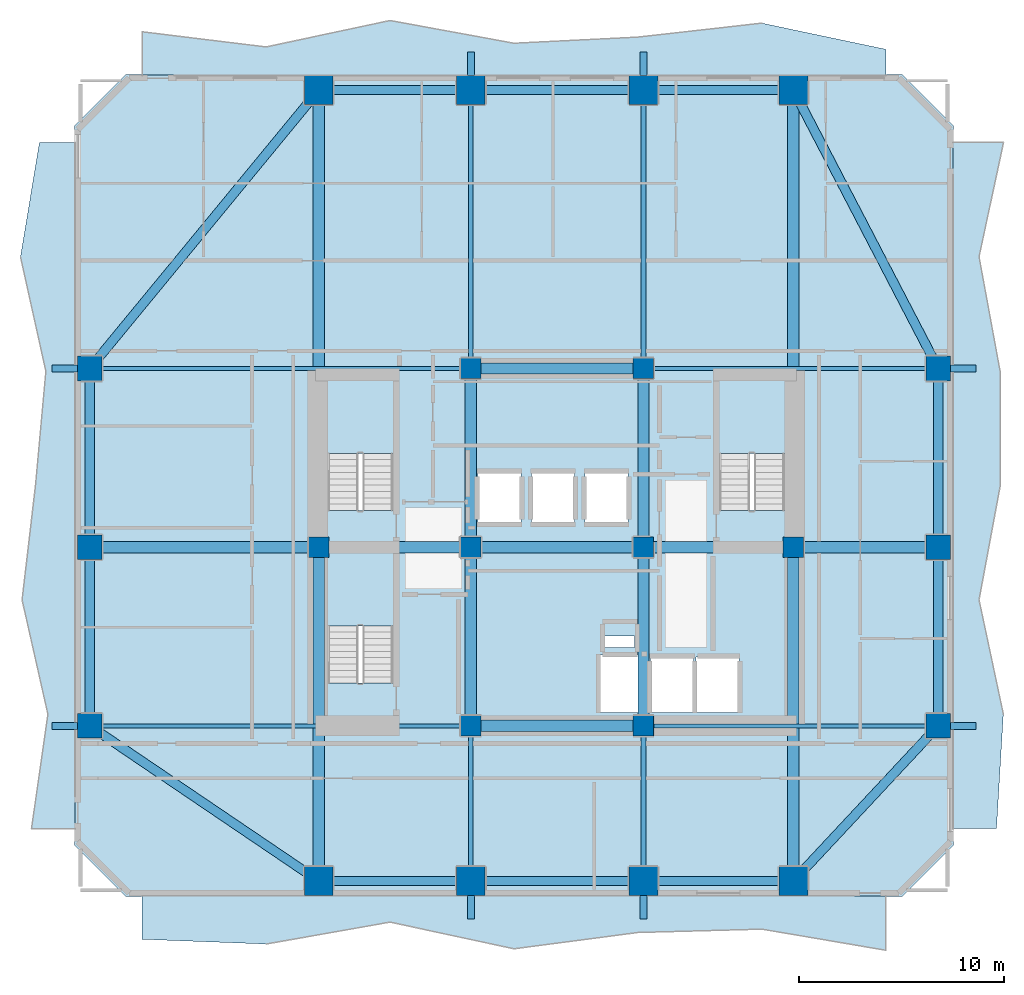
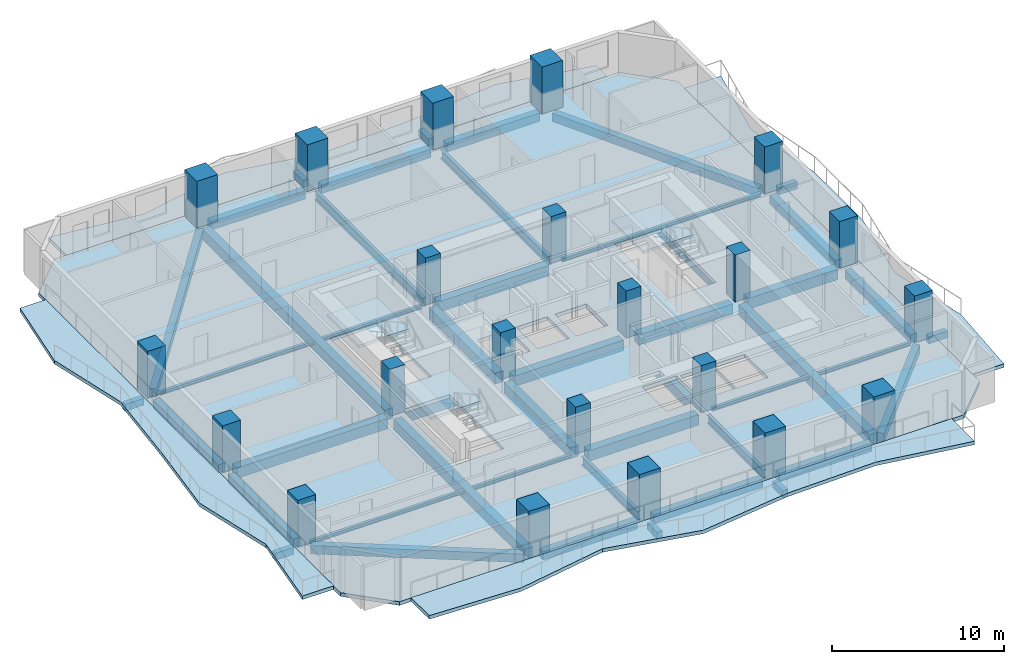
# One storey, part 1 of 10: 45 beams, 22 columns, 8 slabs, 3 elements without a shape of their own.
"""IFC4 building model written with IfcOpenShell, lengths in metres."""

from ifc_helpers import new_model, si_unit, direction, frame, origin, origin_2d, place, context, subcontext, project, spatial, polyline, rectangle, i_section, outline, extrude, material, layer, layer_set, material_profile, profile_set, type_object, element, aggregate, save


model = new_model("IFC4")

# Units and contexts
model_context = context("Model", 3, precision=1e-05, world=origin(), true_north=direction((0.0, 1.0)))
body_context = subcontext(model_context, "Body", "Model", "MODEL_VIEW")
ifc_project = project(units=[si_unit("LENGTHUNIT", "METRE"), si_unit("AREAUNIT", "SQUARE_METRE"), si_unit("VOLUMEUNIT", "CUBIC_METRE"), si_unit("PLANEANGLEUNIT", "RADIAN"), si_unit("MASSUNIT", "GRAM", prefix="KILO")], contexts=[model_context])

# Site, building, storey
site_placement = place(None, origin())
site = spatial("IfcSite", under=ifc_project, at=site_placement, CompositionType="ELEMENT")
building_placement = place(site_placement, origin())
building = spatial("IfcBuilding", under=site, at=building_placement, Name="Solanera Arch Residences", CompositionType="ELEMENT")
storey_placement = place(building_placement, frame((0.0, 0.0, 92.800048828125)))
storey = spatial("IfcBuildingStorey", under=building, at=storey_placement, Name="L26", CompositionType="ELEMENT", Elevation=92.800048828125)

# Columns
ifc_material_1 = material(Name="Concrete C55/67 (f'c = 60 MPa)", Category="concrete")
ifc_material_profile_1 = material_profile(ifc_material_1, rectangle(XDim=1.0, YDim=1.0, at=origin_2d()))
ifc_profile_set_1 = profile_set([ifc_material_profile_1], Name="Concrete C55/67 (f'c = 60 MPa)")
column_type_1 = type_object("IfcColumnType", Name="Structural Column RC-COL-1000X1000", PredefinedType="COLUMN", material=ifc_profile_set_1)
for number, where, z_axis, x_axis, name in (
    (1, (20.800048828125, 22.0, 0.0), (0.0, 0.0, 1.0), (1.0, 0.0, 0.0), "COL-L26-CB-SW"),
    (2, (29.199951171875, 22.0, 0.0), (0.0, 0.0, 1.0), (1.0, 0.0, 0.0), "COL-L26-CB-SE"),
    (3, (20.800048828125, 39.39990234375, 0.0), (0.0, 0.0, 1.0), (1.0, 0.0, 0.0), "COL-L26-CB-NW"),
    (4, (29.199951171875, 39.39990234375, 0.0), (0.0, 0.0, 1.0), (1.0, 0.0, 0.0), "COL-L26-CB-NE"),
    (5, (13.39990234375, 30.699951171875, 0.0), (0.0, 0.0, 1.0), (1.0, 0.0, 0.0), "COL-L26-CB-WW"),
    (6, (36.5, 30.699951171875, 0.0), (0.0, 0.0, 1.0), (1.0, 0.0, 0.0), "COL-L26-CB-EE"),
    (7, (20.800048828125, 30.699951171875, 0.0), (0.0, 0.0, 1.0), (1.0, 0.0, 0.0), "COL-L26-CORE-W"),
    (8, (29.199951171875, 30.699951171875, 0.0), (0.0, 0.0, 1.0), (1.0, 0.0, 0.0), "COL-L26-CORE-E"),
):
    element("IfcColumn", number, at=place(storey_placement, frame(where, z_axis=z_axis, x_axis=x_axis)), inside=storey, type_object=column_type_1, Name=name, PredefinedType="COLUMN", context=body_context, shape_type="SweptSolid", body=[
        extrude(rectangle(XDim=1.0, YDim=1.0, at=origin_2d()), origin(), (0.0, 0.0, 1.0), 3.320068359375),
    ])
ifc_material_2 = material(Name="Concrete C55/67 (f'c = 60 MPa)", Category="concrete")
ifc_material_profile_2 = material_profile(ifc_material_2, rectangle(XDim=1.199951171875, YDim=1.199951171875, at=origin_2d()))
ifc_profile_set_2 = profile_set([ifc_material_profile_2], Name="Concrete C55/67 (f'c = 60 MPa)")
column_type_2 = type_object("IfcColumnType", Name="Structural Column RC-COL-1200X1200", PredefinedType="COLUMN", material=ifc_profile_set_2)
for number, where, z_axis, x_axis, name in (
    (9, (2.25, 22.0, 0.0), (0.0, 0.0, 1.0), (1.0, 0.0, 0.0), "COL-L26-TWR-09"),
    (10, (43.550048828125, 22.0, 0.0), (0.0, 0.0, 1.0), (1.0, 0.0, 0.0), "COL-L26-TWR-10"),
    (11, (2.25, 30.699951171875, 0.0), (0.0, 0.0, 1.0), (1.0, 0.0, 0.0), "COL-L26-TWR-11"),
    (12, (43.550048828125, 30.699951171875, 0.0), (0.0, 0.0, 1.0), (1.0, 0.0, 0.0), "COL-L26-TWR-12"),
    (13, (2.25, 39.39990234375, 0.0), (0.0, 0.0, 1.0), (1.0, 0.0, 0.0), "COL-L26-TWR-13"),
    (14, (43.550048828125, 39.39990234375, 0.0), (0.0, 0.0, 1.0), (1.0, 0.0, 0.0), "COL-L26-TWR-14"),
):
    element("IfcColumn", number, at=place(storey_placement, frame(where, z_axis=z_axis, x_axis=x_axis)), inside=storey, type_object=column_type_2, Name=name, PredefinedType="COLUMN", context=body_context, shape_type="SweptSolid", body=[
        extrude(rectangle(XDim=1.199951171875, YDim=1.199951171875, at=origin_2d()), origin(), (0.0, 0.0, 1.0), 3.320068359375),
    ])
ifc_material_3 = material(Name="Concrete C55/67 (f'c = 60 MPa)", Category="concrete")
ifc_material_profile_3 = material_profile(ifc_material_3, rectangle(XDim=1.39990234375, YDim=1.39990234375, at=origin_2d()))
ifc_profile_set_3 = profile_set([ifc_material_profile_3], Name="Concrete C55/67 (f'c = 60 MPa)")
column_type_3 = type_object("IfcColumnType", Name="Structural Column RC-COL-1400X1400", PredefinedType="COLUMN", material=ifc_profile_set_3)
for number, where, z_axis, x_axis, name in (
    (15, (13.39990234375, 14.449951171875, 0.0), (0.0, 0.0, 1.0), (1.0, 0.0, 0.0), "COL-L26-TWR-01"),
    (16, (13.39990234375, 52.949951171875, 0.0), (0.0, 0.0, 1.0), (1.0, 0.0, 0.0), "COL-L26-TWR-02"),
    (17, (20.800048828125, 14.449951171875, 0.0), (0.0, 0.0, 1.0), (1.0, 0.0, 0.0), "COL-L26-TWR-03"),
    (18, (20.800048828125, 52.949951171875, 0.0), (0.0, 0.0, 1.0), (1.0, 0.0, 0.0), "COL-L26-TWR-04"),
    (19, (29.199951171875, 14.449951171875, 0.0), (0.0, 0.0, 1.0), (1.0, 0.0, 0.0), "COL-L26-TWR-05"),
    (20, (29.199951171875, 52.949951171875, 0.0), (0.0, 0.0, 1.0), (1.0, 0.0, 0.0), "COL-L26-TWR-06"),
    (21, (36.5, 14.449951171875, 0.0), (0.0, 0.0, 1.0), (1.0, 0.0, 0.0), "COL-L26-TWR-07"),
    (22, (36.5, 52.949951171875, 0.0), (0.0, 0.0, 1.0), (1.0, 0.0, 0.0), "COL-L26-TWR-08"),
):
    element("IfcColumn", number, at=place(storey_placement, frame(where, z_axis=z_axis, x_axis=x_axis)), inside=storey, type_object=column_type_3, Name=name, PredefinedType="COLUMN", context=body_context, shape_type="SweptSolid", body=[
        extrude(rectangle(XDim=1.39990234375, YDim=1.39990234375, at=origin_2d()), origin(), (0.0, 0.0, 1.0), 3.320068359375),
    ])

# Beams
ifc_material_4 = material(Name="Concrete C40/50 (f'c = 45 MPa)", Category="concrete")
ifc_material_profile_4 = material_profile(ifc_material_4, rectangle(XDim=0.35009765625, YDim=0.5, at=origin_2d()))
ifc_profile_set_4 = profile_set([ifc_material_profile_4], Name="Concrete C40/50 (f'c = 45 MPa)")
beam_type_1 = type_object("IfcBeamType", Name="BM-BALC-RIB", PredefinedType="BEAM", material=ifc_profile_set_4)
for number, where, z_axis, x_axis, name in (
    (23, (20.800048828125, 12.60009765625, -0.5), (0.0, 1.0, 0.0), (-1.0, 0.0, 0.0), "BM-L26-BRIB-S1"),
    (24, (29.199951171875, 12.60009765625, -0.5), (0.0, 1.0, 0.0), (-1.0, 0.0, 0.0), "BM-L26-BRIB-S2"),
):
    element("IfcBeam", number, at=place(storey_placement, frame(where, z_axis=z_axis, x_axis=x_axis)), inside=storey, type_object=beam_type_1, Name=name, PredefinedType="BEAM", context=body_context, shape_type="SweptSolid", body=[
        extrude(rectangle(XDim=0.35009765625, YDim=0.5, at=origin_2d()), origin(), (0.0, 0.0, 1.0), 1.14990234375),
    ])
for number, where, z_axis, x_axis, name in (
    (25, (20.800048828125, 53.64990234375, -0.5), (0.0, 1.0, 0.0), (-1.0, 0.0, 0.0), "BM-L26-BRIB-N1"),
    (26, (29.199951171875, 53.64990234375, -0.5), (0.0, 1.0, 0.0), (-1.0, 0.0, 0.0), "BM-L26-BRIB-N2"),
):
    element("IfcBeam", number, at=place(storey_placement, frame(where, z_axis=z_axis, x_axis=x_axis)), inside=storey, type_object=beam_type_1, Name=name, PredefinedType="BEAM", context=body_context, shape_type="SweptSolid", body=[
        extrude(rectangle(XDim=0.35009765625, YDim=0.5, at=origin_2d()), origin(), (0.0, 0.0, 1.0), 1.150146484375),
    ])
for number, where, z_axis, x_axis, name in (
    (27, (44.14990234375, 22.0, -0.5), (1.0, 0.0, 0.0), (0.0, 1.0, 0.0), "BM-L26-BRIB-E1"),
    (28, (44.14990234375, 39.39990234375, -0.5), (1.0, 0.0, 0.0), (0.0, 1.0, 0.0), "BM-L26-BRIB-E2"),
    (29, (0.39990234375, 22.0, -0.5), (1.0, 0.0, 0.0), (0.0, 1.0, 0.0), "BM-L26-BRIB-W1"),
    (30, (0.39990234375, 39.39990234375, -0.5), (1.0, 0.0, 0.0), (0.0, 1.0, 0.0), "BM-L26-BRIB-W2"),
):
    element("IfcBeam", number, at=place(storey_placement, frame(where, z_axis=z_axis, x_axis=x_axis)), inside=storey, type_object=beam_type_1, Name=name, PredefinedType="BEAM", context=body_context, shape_type="SweptSolid", body=[
        extrude(rectangle(XDim=0.35009765625, YDim=0.5, at=origin_2d()), origin(), (0.0, 0.0, 1.0), 1.25),
    ])
ifc_material_5 = material(Name="Concrete C40/50 (f'c = 45 MPa)", Category="concrete")
ifc_material_profile_5 = material_profile(ifc_material_5, rectangle(XDim=0.550048828125, YDim=0.75, at=origin_2d()))
ifc_profile_set_5 = profile_set([ifc_material_profile_5], Name="Concrete C40/50 (f'c = 45 MPa)")
beam_type_2 = type_object("IfcBeamType", Name="Primary Beam RC-BM-550X750", PredefinedType="BEAM", material=ifc_profile_set_5)
beam_1_placement = place(storey_placement, frame((20.800048828125, 22.50390625, -0.635009765625), z_axis=(0.0, 1.0, 0.0), x_axis=(-1.0, 0.0, 0.0)))
element("IfcBeam", 31, at=beam_1_placement, inside=storey, type_object=beam_type_2, Name="BM-L26-CC-S-208", PredefinedType="BEAM", context=body_context, shape_type="SweptSolid", body=[
    extrude(rectangle(XDim=0.550048828125, YDim=0.75, at=origin_2d()), origin(), (0.0, 0.0, 1.0), 7.692138671875),
])
beam_2_placement = place(storey_placement, frame((20.800048828125, 31.2041015625, -0.635009765625), z_axis=(0.0, 1.0, 0.0), x_axis=(-1.0, 0.0, 0.0)))
element("IfcBeam", 32, at=beam_2_placement, inside=storey, type_object=beam_type_2, Name="BM-L26-CC-N-208", PredefinedType="BEAM", context=body_context, shape_type="SweptSolid", body=[
    extrude(rectangle(XDim=0.550048828125, YDim=0.75, at=origin_2d()), origin(), (0.0, 0.0, 1.0), 7.69189453125),
])
beam_3_placement = place(storey_placement, frame((29.199951171875, 22.50390625, -0.635009765625), z_axis=(0.0, 1.0, 0.0), x_axis=(-1.0, 0.0, 0.0)))
element("IfcBeam", 33, at=beam_3_placement, inside=storey, type_object=beam_type_2, Name="BM-L26-CC-S-292", PredefinedType="BEAM", context=body_context, shape_type="SweptSolid", body=[
    extrude(rectangle(XDim=0.550048828125, YDim=0.75, at=origin_2d()), origin(), (0.0, 0.0, 1.0), 7.692138671875),
])
beam_4_placement = place(storey_placement, frame((29.199951171875, 31.2041015625, -0.635009765625), z_axis=(0.0, 1.0, 0.0), x_axis=(-1.0, 0.0, 0.0)))
element("IfcBeam", 34, at=beam_4_placement, inside=storey, type_object=beam_type_2, Name="BM-L26-CC-N-292", PredefinedType="BEAM", context=body_context, shape_type="SweptSolid", body=[
    extrude(rectangle(XDim=0.550048828125, YDim=0.75, at=origin_2d()), origin(), (0.0, 0.0, 1.0), 7.69189453125),
])
for number, where, z_axis, x_axis, name in (
    (35, (21.303955078125, 22.0, -0.635009765625), (1.0, 0.0, 0.0), (0.0, 1.0, 0.0), "BM-L26-CC-M-220"),
    (36, (21.303955078125, 30.699951171875, -0.635009765625), (1.0, 0.0, 0.0), (0.0, 1.0, 0.0), "BM-L26-CC-M-307"),
    (37, (21.303955078125, 39.39990234375, -0.635009765625), (1.0, 0.0, 0.0), (0.0, 1.0, 0.0), "BM-L26-CC-M-394"),
):
    element("IfcBeam", number, at=place(storey_placement, frame(where, z_axis=z_axis, x_axis=x_axis)), inside=storey, type_object=beam_type_2, Name=name, PredefinedType="BEAM", context=body_context, shape_type="SweptSolid", body=[
        extrude(rectangle(XDim=0.550048828125, YDim=0.75, at=origin_2d()), origin(), (0.0, 0.0, 1.0), 7.39208984375),
    ])
beam_5_placement = place(storey_placement, frame((13.904052734375, 30.699951171875, -0.635009765625), z_axis=(1.0, 0.0, 0.0), x_axis=(0.0, 1.0, 0.0)))
element("IfcBeam", 38, at=beam_5_placement, inside=storey, type_object=beam_type_2, Name="BM-L26-CC-W", PredefinedType="BEAM", context=body_context, shape_type="SweptSolid", body=[
    extrude(rectangle(XDim=0.550048828125, YDim=0.75, at=origin_2d()), origin(), (0.0, 0.0, 1.0), 6.391845703125),
])
beam_6_placement = place(storey_placement, frame((29.7041015625, 30.699951171875, -0.635009765625), z_axis=(1.0, 0.0, 0.0), x_axis=(0.0, 1.0, 0.0)))
element("IfcBeam", 39, at=beam_6_placement, inside=storey, type_object=beam_type_2, Name="BM-L26-CC-E", PredefinedType="BEAM", context=body_context, shape_type="SweptSolid", body=[
    extrude(rectangle(XDim=0.550048828125, YDim=0.75, at=origin_2d()), origin(), (0.0, 0.0, 1.0), 6.2919921875),
])
beam_7_placement = place(storey_placement, frame((13.39990234375, 14.989990234375, -0.635009765625), z_axis=(0.0, 1.0, 0.0), x_axis=(-1.0, 0.0, 0.0)))
element("IfcBeam", 40, at=beam_7_placement, inside=storey, type_object=beam_type_2, Name="BM-L26-RAD-OS-134", PredefinedType="BEAM", context=body_context, shape_type="SweptSolid", body=[
    extrude(rectangle(XDim=0.550048828125, YDim=0.75, at=origin_2d()), origin(), (0.0, 0.0, 1.0), 15.2060546875),
])
beam_8_placement = place(storey_placement, frame((13.39990234375, 31.2041015625, -0.635009765625), z_axis=(0.0, 1.0, 0.0), x_axis=(-1.0, 0.0, 0.0)))
element("IfcBeam", 41, at=beam_8_placement, inside=storey, type_object=beam_type_2, Name="BM-L26-RAD-ON-134", PredefinedType="BEAM", context=body_context, shape_type="SweptSolid", body=[
    extrude(rectangle(XDim=0.550048828125, YDim=0.75, at=origin_2d()), origin(), (0.0, 0.0, 1.0), 21.205810546875),
])
beam_9_placement = place(storey_placement, frame((36.5, 14.989990234375, -0.635009765625), z_axis=(0.0, 1.0, 0.0), x_axis=(-1.0, 0.0, 0.0)))
element("IfcBeam", 42, at=beam_9_placement, inside=storey, type_object=beam_type_2, Name="BM-L26-RAD-OS-365", PredefinedType="BEAM", context=body_context, shape_type="SweptSolid", body=[
    extrude(rectangle(XDim=0.550048828125, YDim=0.75, at=origin_2d()), origin(), (0.0, 0.0, 1.0), 15.2060546875),
])
beam_10_placement = place(storey_placement, frame((36.5, 31.2041015625, -0.635009765625), z_axis=(0.0, 1.0, 0.0), x_axis=(-1.0, 0.0, 0.0)))
element("IfcBeam", 43, at=beam_10_placement, inside=storey, type_object=beam_type_2, Name="BM-L26-RAD-ON-365", PredefinedType="BEAM", context=body_context, shape_type="SweptSolid", body=[
    extrude(rectangle(XDim=0.550048828125, YDim=0.75, at=origin_2d()), origin(), (0.0, 0.0, 1.0), 21.205810546875),
])
beam_11_placement = place(storey_placement, frame((2.7900390625, 30.699951171875, -0.635009765625), z_axis=(1.0, 0.0, 0.0), x_axis=(0.0, 1.0, 0.0)))
element("IfcBeam", 44, at=beam_11_placement, inside=storey, type_object=beam_type_2, Name="BM-L26-RAD-MW", PredefinedType="BEAM", context=body_context, shape_type="SweptSolid", body=[
    extrude(rectangle(XDim=0.550048828125, YDim=0.75, at=origin_2d()), origin(), (0.0, 0.0, 1.0), 10.10595703125),
])
beam_12_placement = place(storey_placement, frame((37.00390625, 30.699951171875, -0.635009765625), z_axis=(1.0, 0.0, 0.0), x_axis=(0.0, 1.0, 0.0)))
element("IfcBeam", 45, at=beam_12_placement, inside=storey, type_object=beam_type_2, Name="BM-L26-RAD-ME", PredefinedType="BEAM", context=body_context, shape_type="SweptSolid", body=[
    extrude(rectangle(XDim=0.550048828125, YDim=0.75, at=origin_2d()), origin(), (0.0, 0.0, 1.0), 6.006103515625),
])
ifc_material_6 = material(Name="Steel S355 (ASTM A992 / A572 Grade 50)", Category="steel")
ifc_material_profile_6 = material_profile(ifc_material_6, i_section(OverallWidth=0.22998046875, OverallDepth=0.616943359375, WebThickness=0.01318359375, FlangeThickness=0.022216796875, at=origin_2d()))
ifc_profile_set_6 = profile_set([ifc_material_profile_6], Name="Steel S355 (ASTM A992 / A572 Grade 50)")
beam_type_3 = type_object("IfcBeamType", Name="Primary Beam W610X140", PredefinedType="BEAM", material=ifc_profile_set_6)
beam_13_placement = place(storey_placement, frame((20.800048828125, 14.989990234375, -0.568115234375), z_axis=(0.0, 1.0, 0.0), x_axis=(-1.0, 0.0, 0.0)))
element("IfcBeam", 46, at=beam_13_placement, inside=storey, type_object=beam_type_3, Name="BM-L26-RAD-S-208", PredefinedType="BEAM", context=body_context, shape_type="SweptSolid", body=[
    extrude(i_section(OverallWidth=0.22998046875, OverallDepth=0.616943359375, WebThickness=0.01318359375, FlangeThickness=0.022216796875, at=origin_2d()), origin(), (0.0, 0.0, 1.0), 6.506103515625),
])
beam_14_placement = place(storey_placement, frame((20.800048828125, 39.904052734375, -0.568115234375), z_axis=(0.0, 1.0, 0.0), x_axis=(-1.0, 0.0, 0.0)))
element("IfcBeam", 47, at=beam_14_placement, inside=storey, type_object=beam_type_3, Name="BM-L26-RAD-N-208", PredefinedType="BEAM", context=body_context, shape_type="SweptSolid", body=[
    extrude(i_section(OverallWidth=0.22998046875, OverallDepth=0.616943359375, WebThickness=0.01318359375, FlangeThickness=0.022216796875, at=origin_2d()), origin(), (0.0, 0.0, 1.0), 12.505859375),
])
beam_15_placement = place(storey_placement, frame((29.199951171875, 14.989990234375, -0.568115234375), z_axis=(0.0, 1.0, 0.0), x_axis=(-1.0, 0.0, 0.0)))
element("IfcBeam", 48, at=beam_15_placement, inside=storey, type_object=beam_type_3, Name="BM-L26-RAD-S-292", PredefinedType="BEAM", context=body_context, shape_type="SweptSolid", body=[
    extrude(i_section(OverallWidth=0.22998046875, OverallDepth=0.616943359375, WebThickness=0.01318359375, FlangeThickness=0.022216796875, at=origin_2d()), origin(), (0.0, 0.0, 1.0), 6.506103515625),
])
beam_16_placement = place(storey_placement, frame((29.199951171875, 39.904052734375, -0.568115234375), z_axis=(0.0, 1.0, 0.0), x_axis=(-1.0, 0.0, 0.0)))
element("IfcBeam", 49, at=beam_16_placement, inside=storey, type_object=beam_type_3, Name="BM-L26-RAD-N-292", PredefinedType="BEAM", context=body_context, shape_type="SweptSolid", body=[
    extrude(i_section(OverallWidth=0.22998046875, OverallDepth=0.616943359375, WebThickness=0.01318359375, FlangeThickness=0.022216796875, at=origin_2d()), origin(), (0.0, 0.0, 1.0), 12.505859375),
])
ifc_material_7 = material(Name="Steel S355 (ASTM A992 / A572 Grade 50)", Category="steel")
ifc_material_profile_7 = material_profile(ifc_material_7, i_section(OverallWidth=0.201904296875, OverallDepth=0.2470703125, WebThickness=0.00732421875, FlangeThickness=0.010986328125, at=origin_2d()))
ifc_profile_set_7 = profile_set([ifc_material_profile_7], Name="Steel S355 (ASTM A992 / A572 Grade 50)")
beam_type_4 = type_object("IfcBeamType", Name="Secondary Joist W250X49.1", PredefinedType="JOIST", material=ifc_profile_set_7)
beam_17_placement = place(storey_placement, frame((2.7900390625, 22.0, -0.384033203125), z_axis=(1.0, 0.0, 0.0), x_axis=(0.0, 1.0, 0.0)))
element("IfcBeam", 50, at=beam_17_placement, inside=storey, type_object=beam_type_4, Name="BM-L26-RAD-W-220", PredefinedType="JOIST", context=body_context, shape_type="SweptSolid", body=[
    extrude(i_section(OverallWidth=0.201904296875, OverallDepth=0.2470703125, WebThickness=0.00732421875, FlangeThickness=0.010986328125, at=origin_2d()), origin(), (0.0, 0.0, 1.0), 17.505859375),
])
beam_18_placement = place(storey_placement, frame((29.7041015625, 22.0, -0.384033203125), z_axis=(1.0, 0.0, 0.0), x_axis=(0.0, 1.0, 0.0)))
element("IfcBeam", 51, at=beam_18_placement, inside=storey, type_object=beam_type_4, Name="BM-L26-RAD-E-220", PredefinedType="JOIST", context=body_context, shape_type="SweptSolid", body=[
    extrude(i_section(OverallWidth=0.201904296875, OverallDepth=0.2470703125, WebThickness=0.00732421875, FlangeThickness=0.010986328125, at=origin_2d()), origin(), (0.0, 0.0, 1.0), 13.305908203125),
])
beam_19_placement = place(storey_placement, frame((2.7900390625, 39.39990234375, -0.384033203125), z_axis=(1.0, 0.0, 0.0), x_axis=(0.0, 1.0, 0.0)))
element("IfcBeam", 52, at=beam_19_placement, inside=storey, type_object=beam_type_4, Name="BM-L26-RAD-W-394", PredefinedType="JOIST", context=body_context, shape_type="SweptSolid", body=[
    extrude(i_section(OverallWidth=0.201904296875, OverallDepth=0.2470703125, WebThickness=0.00732421875, FlangeThickness=0.010986328125, at=origin_2d()), origin(), (0.0, 0.0, 1.0), 17.505859375),
])
beam_20_placement = place(storey_placement, frame((29.7041015625, 39.39990234375, -0.384033203125), z_axis=(1.0, 0.0, 0.0), x_axis=(0.0, 1.0, 0.0)))
element("IfcBeam", 53, at=beam_20_placement, inside=storey, type_object=beam_type_4, Name="BM-L26-RAD-E-394", PredefinedType="JOIST", context=body_context, shape_type="SweptSolid", body=[
    extrude(i_section(OverallWidth=0.201904296875, OverallDepth=0.2470703125, WebThickness=0.00732421875, FlangeThickness=0.010986328125, at=origin_2d()), origin(), (0.0, 0.0, 1.0), 13.305908203125),
])
ifc_material_8 = material(Name="Concrete C40/50 (f'c = 45 MPa)", Category="concrete")
ifc_material_profile_8 = material_profile(ifc_material_8, rectangle(XDim=0.449951171875, YDim=0.60009765625, at=origin_2d()))
ifc_profile_set_8 = profile_set([ifc_material_profile_8], Name="Concrete C40/50 (f'c = 45 MPa)")
beam_type_5 = type_object("IfcBeamType", Name="Spandrel Beam RC-BM-450X600", PredefinedType="SPANDREL", material=ifc_profile_set_8)
for number, where, z_axis, x_axis, name in (
    (54, (13.93994140625, 14.449951171875, -0.56005859375), (1.0, 0.0, 0.0), (0.0, 1.0, 0.0), "BM-L26-SPN-S-1"),
    (55, (13.93994140625, 52.949951171875, -0.56005859375), (1.0, 0.0, 0.0), (0.0, 1.0, 0.0), "BM-L26-SPN-N-1"),
):
    element("IfcBeam", number, at=place(storey_placement, frame(where, z_axis=z_axis, x_axis=x_axis)), inside=storey, type_object=beam_type_5, Name=name, PredefinedType="SPANDREL", context=body_context, shape_type="SweptSolid", body=[
        extrude(rectangle(XDim=0.449951171875, YDim=0.60009765625, at=origin_2d()), origin(), (0.0, 0.0, 1.0), 6.320068359375),
    ])
for number, where, z_axis, x_axis, name in (
    (56, (21.340087890625, 14.449951171875, -0.56005859375), (1.0, 0.0, 0.0), (0.0, 1.0, 0.0), "BM-L26-SPN-S-2"),
    (57, (21.340087890625, 52.949951171875, -0.56005859375), (1.0, 0.0, 0.0), (0.0, 1.0, 0.0), "BM-L26-SPN-N-2"),
):
    element("IfcBeam", number, at=place(storey_placement, frame(where, z_axis=z_axis, x_axis=x_axis)), inside=storey, type_object=beam_type_5, Name=name, PredefinedType="SPANDREL", context=body_context, shape_type="SweptSolid", body=[
        extrude(rectangle(XDim=0.449951171875, YDim=0.60009765625, at=origin_2d()), origin(), (0.0, 0.0, 1.0), 7.31982421875),
    ])
for number, where, z_axis, x_axis, name in (
    (58, (29.739990234375, 14.449951171875, -0.56005859375), (1.0, 0.0, 0.0), (0.0, 1.0, 0.0), "BM-L26-SPN-S-3"),
    (59, (29.739990234375, 52.949951171875, -0.56005859375), (1.0, 0.0, 0.0), (0.0, 1.0, 0.0), "BM-L26-SPN-N-3"),
):
    element("IfcBeam", number, at=place(storey_placement, frame(where, z_axis=z_axis, x_axis=x_axis)), inside=storey, type_object=beam_type_5, Name=name, PredefinedType="SPANDREL", context=body_context, shape_type="SweptSolid", body=[
        extrude(rectangle(XDim=0.449951171875, YDim=0.60009765625, at=origin_2d()), origin(), (0.0, 0.0, 1.0), 6.219970703125),
    ])
for number, where, z_axis, x_axis, name in (
    (60, (2.25, 22.5400390625, -0.56005859375), (0.0, 1.0, 0.0), (-1.0, 0.0, 0.0), "BM-L26-SPN-W-1"),
    (61, (43.550048828125, 22.5400390625, -0.56005859375), (0.0, 1.0, 0.0), (-1.0, 0.0, 0.0), "BM-L26-SPN-E-1"),
):
    element("IfcBeam", number, at=place(storey_placement, frame(where, z_axis=z_axis, x_axis=x_axis)), inside=storey, type_object=beam_type_5, Name=name, PredefinedType="SPANDREL", context=body_context, shape_type="SweptSolid", body=[
        extrude(rectangle(XDim=0.449951171875, YDim=0.60009765625, at=origin_2d()), origin(), (0.0, 0.0, 1.0), 7.619873046875),
    ])
for number, where, z_axis, x_axis, name in (
    (62, (2.25, 31.239990234375, -0.56005859375), (0.0, 1.0, 0.0), (-1.0, 0.0, 0.0), "BM-L26-SPN-W-2"),
    (63, (43.550048828125, 31.239990234375, -0.56005859375), (0.0, 1.0, 0.0), (-1.0, 0.0, 0.0), "BM-L26-SPN-E-2"),
):
    element("IfcBeam", number, at=place(storey_placement, frame(where, z_axis=z_axis, x_axis=x_axis)), inside=storey, type_object=beam_type_5, Name=name, PredefinedType="SPANDREL", context=body_context, shape_type="SweptSolid", body=[
        extrude(rectangle(XDim=0.449951171875, YDim=0.60009765625, at=origin_2d()), origin(), (0.0, 0.0, 1.0), 7.6201171875),
    ])
beam_21_placement = place(storey_placement, frame((12.952880859375, 14.7529296875, -0.56005859375), z_axis=(-0.828047103834, 0.560658535859, 0.0), x_axis=(-0.560658535859, -0.828047103834, 0.0)))
element("IfcBeam", 64, at=beam_21_placement, inside=storey, type_object=beam_type_5, Name="BM-L26-SPN-SW", PredefinedType="SPANDREL", context=body_context, shape_type="SweptSolid", body=[
    extrude(rectangle(XDim=0.449951171875, YDim=0.60009765625, at=origin_2d()), origin(), (0.0, 0.0, 1.0), 12.385498046875),
])
beam_22_placement = place(storey_placement, frame((13.056884765625, 52.532958984375, -0.56005859375), z_axis=(-0.635411006368, -0.772174107949, 0.0), x_axis=(0.772174107949, -0.635411006368, 0.0)))
element("IfcBeam", 65, at=beam_22_placement, inside=storey, type_object=beam_type_5, Name="BM-L26-SPN-NW", PredefinedType="SPANDREL", context=body_context, shape_type="SweptSolid", body=[
    extrude(rectangle(XDim=0.449951171875, YDim=0.60009765625, at=origin_2d()), origin(), (0.0, 0.0, 1.0), 16.4677734375),
])
beam_23_placement = place(storey_placement, frame((36.868896484375, 14.844970703125, -0.56005859375), z_axis=(0.68247247993, 0.730911290198, 0.0), x_axis=(-0.730911290198, 0.68247247993, 0.0)))
element("IfcBeam", 66, at=beam_23_placement, inside=storey, type_object=beam_type_5, Name="BM-L26-SPN-SE", PredefinedType="SPANDREL", context=body_context, shape_type="SweptSolid", body=[
    extrude(rectangle(XDim=0.449951171875, YDim=0.60009765625, at=origin_2d()), origin(), (0.0, 0.0, 1.0), 9.248779296875),
])
beam_24_placement = place(storey_placement, frame((36.7490234375, 52.470947265625, -0.56005859375), z_axis=(0.461582336362, -0.887097371633, 0.0), x_axis=(0.887097371633, 0.461582336362, 0.0)))
element("IfcBeam", 67, at=beam_24_placement, inside=storey, type_object=beam_type_5, Name="BM-L26-SPN-NE", PredefinedType="SPANDREL", context=body_context, shape_type="SweptSolid", body=[
    extrude(rectangle(XDim=0.449951171875, YDim=0.60009765625, at=origin_2d()), origin(), (0.0, 0.0, 1.0), 14.194580078125),
])

# Slabs
ifc_material_9 = material(Name="Concrete C40/50 (f'c = 45 MPa)", Category="concrete")
ifc_layer_1 = layer(ifc_material_9, 0.25)
ifc_layer_set_1 = layer_set([ifc_layer_1], Name="Concrete C40/50 (f'c = 45 MPa)")
slab_type_1 = type_object("IfcSlabType", Name="Balcony Slab 250", PredefinedType="FLOOR", material=ifc_layer_set_1)
slab_1_placement = place(storey_placement, frame((0.0, 0.0, -0.25)))
element("IfcSlab", 68, at=slab_1_placement, inside=storey, type_object=slab_type_1, Name="L26 S Rippling Brise-Soleil Balcony Slab", PredefinedType="FLOOR", context=body_context, shape_type="SweptSolid", body=[
    extrude(outline(polyline([(4.800048828125, 11.612060546875), (10.8330078125, 11.381103515625), (16.866943359375, 12.449951171875), (22.89990234375, 11.14990234375), (28.93310546875, 11.944091796875), (34.967041015625, 12.10693359375), (41.0, 11.0791015625), (41.0, 13.719970703125), (4.800048828125, 13.719970703125), (4.800048828125, 11.612060546875)])), origin(), (0.0, 0.0, 1.0), 0.25),
])
slab_2_placement = place(storey_placement, frame((0.0, 0.0, -0.25)))
element("IfcSlab", 69, at=slab_2_placement, inside=storey, type_object=slab_type_1, Name="L26 N Rippling Brise-Soleil Balcony Slab", PredefinedType="FLOOR", context=body_context, shape_type="SweptSolid", body=[
    extrude(outline(polyline([(41.0, 54.93603515625), (34.967041015625, 56.208984375), (28.93310546875, 55.529052734375), (22.89990234375, 55.22998046875), (16.866943359375, 56.337890625), (10.8330078125, 55.050048828125), (4.800048828125, 55.7880859375), (4.800048828125, 53.679931640625), (41.0, 53.679931640625), (41.0, 54.93603515625)])), origin(), (0.0, 0.0, 1.0), 0.25),
])
slab_3_placement = place(storey_placement, frame((0.0, 0.0, -0.25)))
element("IfcSlab", 70, at=slab_3_placement, inside=storey, type_object=slab_type_1, Name="L26 E Rippling Brise-Soleil Balcony Slab", PredefinedType="FLOOR", context=body_context, shape_type="SweptSolid", body=[
    extrude(outline(polyline([(46.387939453125, 17.0), (46.721923828125, 22.56689453125), (45.535888671875, 28.133056640625), (46.571044921875, 33.699951171875), (46.56201171875, 39.26708984375), (45.537109375, 44.8330078125), (46.72900390625, 50.39990234375), (44.280029296875, 50.39990234375), (44.280029296875, 17.0), (46.387939453125, 17.0)])), origin(), (0.0, 0.0, 1.0), 0.25),
])
slab_4_placement = place(storey_placement, frame((0.0, 0.0, -0.25)))
element("IfcSlab", 71, at=slab_4_placement, inside=storey, type_object=slab_type_1, Name="L26 W Rippling Brise-Soleil Balcony Slab", PredefinedType="FLOOR", context=body_context, shape_type="SweptSolid", body=[
    extrude(outline(polyline([(-0.202880859375, 50.39990234375), (-1.123046875, 44.8330078125), (0.112060546875, 39.26708984375), (-0.39404296875, 33.699951171875), (-1.044921875, 28.133056640625), (0.2119140625, 22.56689453125), (-0.587890625, 17.0), (1.52001953125, 17.0), (1.52001953125, 50.39990234375), (-0.202880859375, 50.39990234375)])), origin(), (0.0, 0.0, 1.0), 0.25),
])

# Stair, slab
ifc_material_10 = material(Name="Concrete C40/50 (f'c = 45 MPa)", Category="concrete")
stair_type = type_object("IfcStairType", Name="Tower Dogleg Exit Stair 1480", PredefinedType="HALF_TURN_STAIR", material=ifc_material_10)
stair_1_placement = place(storey_placement, origin())
stair_1 = element("IfcStair", 72, at=stair_1_placement, inside=storey, type_object=stair_type, Name="L26 Tower Core Exit Stair 1", PredefinedType="HALF_TURN_STAIR")
ifc_material_11 = material(Name="Concrete C40/50 (f'c = 45 MPa)", Category="concrete")
ifc_layer_2 = layer(ifc_material_11, 0.199951171875)
ifc_layer_set_2 = layer_set([ifc_layer_2], Name="Concrete C40/50 (f'c = 45 MPa)")
slab_type_2 = type_object("IfcSlabType", Name="Stair Half-Landing Slab 200", PredefinedType="LANDING", material=ifc_layer_set_2)
slab_5_placement = place(storey_placement, frame((0.0, 0.0, 1.4599609375)))
slab_5 = element("IfcSlab", 73, at=slab_5_placement, type_object=slab_type_2, Name="ST-T1 landing 1", PredefinedType="LANDING", context=body_context, shape_type="SweptSolid", body=[
    extrude(outline(polyline([(17.1201171875, 35.260009765625), (17.1201171875, 38.919921875), (13.719970703125, 38.919921875), (13.719970703125, 35.260009765625), (17.1201171875, 35.260009765625)])), origin(), (0.0, 0.0, 1.0), 0.199951171875),
])
aggregate(stair_1, [slab_5])

stair_2_placement = place(storey_placement, origin())
stair_2 = element("IfcStair", 74, at=stair_2_placement, inside=storey, type_object=stair_type, Name="L26 Tower Core Exit Stair 2", PredefinedType="HALF_TURN_STAIR")
slab_6_placement = place(storey_placement, frame((0.0, 0.0, 1.4599609375)))
slab_6 = element("IfcSlab", 75, at=slab_6_placement, type_object=slab_type_2, Name="ST-T2 landing 1", PredefinedType="LANDING", context=body_context, shape_type="SweptSolid", body=[
    extrude(outline(polyline([(36.179931640625, 35.260009765625), (36.179931640625, 38.919921875), (32.780029296875, 38.919921875), (32.780029296875, 35.260009765625), (36.179931640625, 35.260009765625)])), origin(), (0.0, 0.0, 1.0), 0.199951171875),
])
aggregate(stair_2, [slab_6])

stair_3_placement = place(storey_placement, origin())
stair_3 = element("IfcStair", 76, at=stair_3_placement, inside=storey, type_object=stair_type, Name="L26 Tower Core Exit Stair 3", PredefinedType="HALF_TURN_STAIR")
slab_7_placement = place(storey_placement, frame((0.0, 0.0, 1.4599609375)))
slab_7 = element("IfcSlab", 77, at=slab_7_placement, type_object=slab_type_2, Name="ST-T3 landing 1", PredefinedType="LANDING", context=body_context, shape_type="SweptSolid", body=[
    extrude(outline(polyline([(17.1201171875, 26.860107421875), (17.1201171875, 30.52001953125), (13.719970703125, 30.52001953125), (13.719970703125, 26.860107421875), (17.1201171875, 26.860107421875)])), origin(), (0.0, 0.0, 1.0), 0.199951171875),
])
aggregate(stair_3, [slab_7])

# Slab
ifc_material_12 = material(Name="Concrete C40/50 (f'c = 45 MPa)", Category="concrete")
ifc_layer_3 = layer(ifc_material_12, 0.260009765625)
ifc_layer_set_3 = layer_set([ifc_layer_3], Name="Concrete C40/50 (f'c = 45 MPa)")
slab_type_3 = type_object("IfcSlabType", Name="Suspended Floor Slab Post-Tensioned 260", PredefinedType="FLOOR", material=ifc_layer_set_3)
slab_8_placement = place(storey_placement, frame((0.0, 0.0, -0.260009765625)))
element("IfcSlab", 78, at=slab_8_placement, inside=storey, type_object=slab_type_3, Name="L26 Tower Post-Tensioned Floor Slab", PredefinedType="FLOOR", context=body_context, shape_type="SweptSolid", body=[
    extrude(outline(polyline([(4.0, 13.699951171875), (41.800048828125, 13.699951171875), (44.300048828125, 16.199951171875), (44.300048828125, 51.199951171875), (41.800048828125, 53.699951171875), (4.0, 53.699951171875), (1.5, 51.199951171875), (1.5, 16.199951171875), (4.0, 13.699951171875)]), holes=[polyline([(13.840087890625, 32.48291015625), (13.840087890625, 38.800048828125), (17.0, 38.800048828125), (17.0, 32.48291015625), (13.840087890625, 32.48291015625)]), polyline([(32.89990234375, 32.48291015625), (32.89990234375, 38.800048828125), (36.06005859375, 38.800048828125), (36.06005859375, 32.48291015625), (32.89990234375, 32.48291015625)]), polyline([(13.840087890625, 24.0830078125), (13.840087890625, 30.39990234375), (17.0, 30.39990234375), (17.0, 24.0830078125), (13.840087890625, 24.0830078125)]), polyline([(21.14990234375, 34.35009765625), (23.25, 34.35009765625), (23.25, 31.85009765625), (21.14990234375, 31.85009765625), (21.14990234375, 34.35009765625)]), polyline([(23.75, 34.35009765625), (25.85009765625, 34.35009765625), (25.85009765625, 31.85009765625), (23.75, 31.85009765625), (23.75, 34.35009765625)]), polyline([(26.35009765625, 34.35009765625), (28.449951171875, 34.35009765625), (28.449951171875, 31.85009765625), (26.35009765625, 31.85009765625), (26.35009765625, 34.35009765625)]), polyline([(29.550048828125, 25.35009765625), (31.64990234375, 25.35009765625), (31.64990234375, 22.64990234375), (29.550048828125, 22.64990234375), (29.550048828125, 25.35009765625)]), polyline([(31.75, 25.35009765625), (33.85009765625, 25.35009765625), (33.85009765625, 22.64990234375), (31.75, 22.64990234375), (31.75, 25.35009765625)]), polyline([(27.050048828125, 25.449951171875), (29.35009765625, 25.449951171875), (29.35009765625, 22.64990234375), (27.050048828125, 22.64990234375), (27.050048828125, 25.449951171875)]), polyline([(27.340087890625, 26.3798828125), (28.760009765625, 26.3798828125), (28.760009765625, 25.820068359375), (27.340087890625, 25.820068359375), (27.340087890625, 26.3798828125)])]), origin(), (0.0, 0.0, 1.0), 0.260009765625),
])

save(model, "model.ifc")
